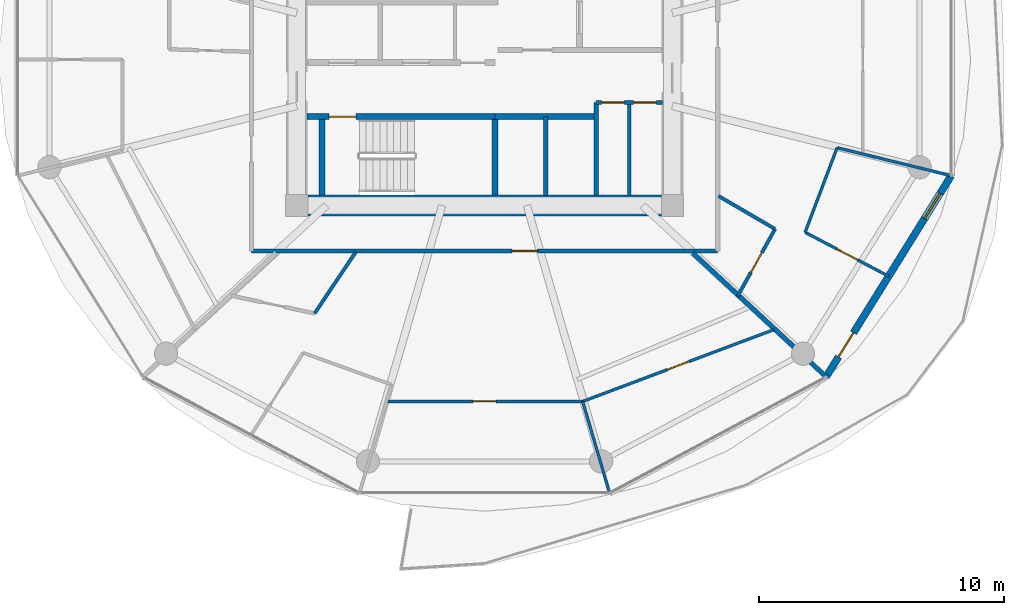
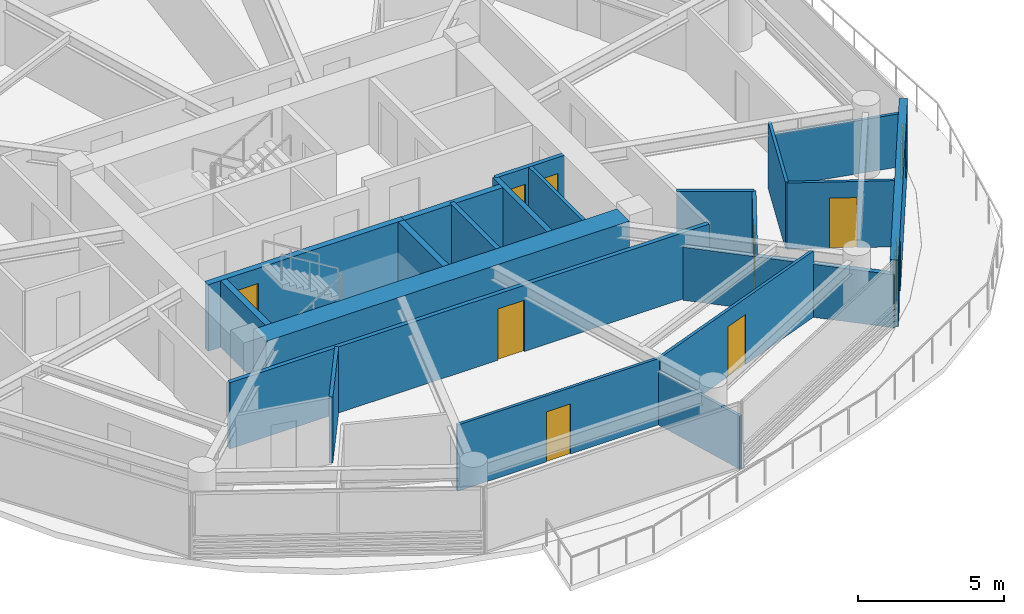
# One storey, part 19 of 27: 21 walls, 9 doors, 1 window, 10 openings.
"""IFC4 building model written with IfcOpenShell, lengths in metres."""

from ifc_helpers import new_model, si_unit, direction, frame, frame_2d, origin, place, context, subcontext, project, spatial, rectangle, extrude, source, transform, mapped, material, layer, layer_set, type_object, type_shapes, element, fill, save


model = new_model("IFC4")

# Units and contexts
model_context = context("Model", 3, precision=1e-05, world=origin(), true_north=direction((0.0, 1.0)))
body_context = subcontext(model_context, "Body", "Model", "MODEL_VIEW")
ifc_project = project(units=[si_unit("LENGTHUNIT", "METRE"), si_unit("AREAUNIT", "SQUARE_METRE"), si_unit("VOLUMEUNIT", "CUBIC_METRE"), si_unit("PLANEANGLEUNIT", "RADIAN"), si_unit("MASSUNIT", "GRAM", prefix="KILO")], contexts=[model_context])

# Site, building, storey
site_placement = place(None, origin())
site = spatial("IfcSite", under=ifc_project, at=site_placement, CompositionType="ELEMENT")
building_placement = place(site_placement, origin())
building = spatial("IfcBuilding", under=site, at=building_placement, Name="Norrkilde Senior Care Towers", CompositionType="ELEMENT")
storey_placement = place(building_placement, frame((0.0, 0.0, 33.800048828125)))
storey = spatial("IfcBuildingStorey", under=building, at=storey_placement, Name="L09", CompositionType="ELEMENT", Elevation=33.800048828125)

# Wall
ifc_material_1 = material(Name="Concrete C60/75", Category="concrete")
ifc_layer_1 = layer(ifc_material_1, 0.85009765625)
ifc_layer_set_1 = layer_set([ifc_layer_1], Name="Concrete C60/75")
wall_type_1 = type_object("IfcWallType", Name="Core Shear Wall Z1 850", PredefinedType="SHEAR", material=ifc_layer_set_1)
shared_shape_1 = source(origin(), body_context, "Body", "SweptSolid", [
    extrude(rectangle(XDim=14.39990234375, YDim=0.85009765625, at=frame_2d((7.199951171875, 0.0))), origin(), (0.0, 0.0, 1.0), 2.7900390625),
])
type_shapes(wall_type_1, [shared_shape_1])
wall_1_placement = place(storey_placement, frame((35.199951171875, -5.949951171875, 0.0), z_axis=(0.0, 0.0, 1.0), x_axis=(-1.0, 0.0, 0.0)))
element("IfcWall", 1, at=wall_1_placement, inside=storey, type_object=wall_type_1, Name="L09 Core E South Shear Wall", PredefinedType="SHEAR", context=body_context, shape_type="MappedRepresentation", body=[
    mapped(shared_shape_1, transform((0.0, 0.0, 0.0), x_axis=(1.0, 0.0, 0.0), y_axis=(0.0, 1.0, 0.0), z_axis=(0.0, 0.0, 1.0), scale=1.0)),
])

# Wall, openings, door, window
ifc_material_2 = material(Name="Precast concrete C45/55", Category="concrete")
ifc_layer_2 = layer(ifc_material_2, 0.2900390625)
ifc_layer_set_2 = layer_set([ifc_layer_2], Name="Precast concrete C45/55")
wall_type_2 = type_object("IfcWallType", Name="Winter Garden Facade Wall 290", PredefinedType="SOLIDWALL", material=ifc_layer_set_2)
shared_shape_2 = source(origin(), body_context, "Body", "SweptSolid", [
    extrude(rectangle(XDim=9.64892578125, YDim=0.2900390625, at=frame_2d((4.824462890625, 0.0))), origin(), (0.0, 0.0, 1.0), 2.7900390625),
])
type_shapes(wall_type_2, [shared_shape_2])
wall_2_placement = place(storey_placement, frame((47.009521484375, -4.731201171875, 0.0), z_axis=(0.0, 0.0, 1.0), x_axis=(-0.527909458386, -0.849300655684, 0.0)))
wall_2 = element("IfcWall", 2, at=wall_2_placement, inside=storey, type_object=wall_type_2, Name="L09 Drum E Balcony Access Wall 10", PredefinedType="SOLIDWALL", context=body_context, shape_type="MappedRepresentation", body=[
    mapped(shared_shape_2, transform((0.0, 0.0, 0.0), x_axis=(1.0, 0.0, 0.0), y_axis=(0.0, 1.0, 0.0), z_axis=(0.0, 0.0, 1.0), scale=1.0)),
])
opening_1_placement = place(wall_2_placement, frame((7.5400390625, 0.0, 0.0)))
opening_1 = element("IfcOpeningElement", 3, at=opening_1_placement, cuts=wall_2, Name="Opening D-09", PredefinedType="OPENING", context=body_context, shape_type="SweptSolid", body=[
    extrude(rectangle(XDim=1.14990234375, YDim=2.25, at=frame_2d((0.574951171875, 1.125))), frame((0.0, 0.155029296875, 0.0), z_axis=(0.0, -1.0, 0.0), x_axis=(1.0, 0.0, 0.0)), (0.0, 0.0, 1.0), 0.31005859375),
])
opening_2_placement = place(wall_2_placement, frame((0.85009765625, 0.0, 0.85009765625)))
opening_2 = element("IfcOpeningElement", 4, at=opening_2_placement, cuts=wall_2, Name="Opening WN-07", PredefinedType="OPENING", context=body_context, shape_type="SweptSolid", body=[
    extrude(rectangle(XDim=1.199951171875, YDim=1.5, at=frame_2d((0.60009765625, 0.75))), frame((0.0, 0.155029296875, 0.0), z_axis=(0.0, -1.0, 0.0), x_axis=(1.0, 0.0, 0.0)), (0.0, 0.0, 1.0), 0.31005859375),
])
ifc_material_3 = material(Name="Anodised Aluminium", Category="aluminium")
door_type_1 = type_object("IfcDoorType", Name="Terrace and Balcony Glazed Door 1150x2250", OperationType="NOTDEFINED", PredefinedType="DOOR", material=ifc_material_3)
shared_shape_3 = source(origin(), body_context, "Body", "SweptSolid", [
    extrude(rectangle(XDim=1.14990234375, YDim=2.25, at=frame_2d((0.574951171875, 1.125))), frame((0.0, 0.02490234375, 0.0), z_axis=(0.0, -1.0, 0.0), x_axis=(1.0, 0.0, 0.0)), (0.0, 0.0, 1.0), 0.050048828125),
])
type_shapes(door_type_1, [shared_shape_3])
door_1_placement = place(opening_1_placement, origin())
door_1 = element("IfcDoor", 5, at=door_1_placement, inside=storey, type_object=door_type_1, Name="L09 Drum E Outdoor Terrace Door 10", OperationType="SINGLE_SWING_LEFT", OverallHeight=2.25, OverallWidth=1.14990234375, PredefinedType="DOOR", context=body_context, shape_type="MappedRepresentation", body=[
    mapped(shared_shape_3, transform((0.0, 0.0, 0.0), x_axis=(1.0, 0.0, 0.0), y_axis=(0.0, 1.0, 0.0), z_axis=(0.0, 0.0, 1.0), scale=1.0)),
])
fill(opening_1, door_1)
ifc_material_4 = material(Name="Triple Low-E Insulated Glazing", Category="glass")
window_type = type_object("IfcWindowType", Name="Stairwell Smoke Vent Window 1200x1500", PartitioningType="SINGLE_PANEL", PredefinedType="WINDOW", material=ifc_material_4)
shared_shape_4 = source(origin(), body_context, "Body", "SweptSolid", [
    extrude(rectangle(XDim=1.199951171875, YDim=1.5, at=frame_2d((0.60009765625, 0.75))), frame((0.0, 0.030029296875, 0.0), z_axis=(0.0, -1.0, 0.0), x_axis=(1.0, 0.0, 0.0)), (0.0, 0.0, 1.0), 0.06005859375),
])
type_shapes(window_type, [shared_shape_4])
window_placement = place(opening_2_placement, origin())
window = element("IfcWindow", 6, at=window_placement, inside=storey, type_object=window_type, Name="L09 Drum E Winter Garden Window 10", OverallHeight=1.5, OverallWidth=1.199951171875, PartitioningType="SINGLE_PANEL", PredefinedType="WINDOW", context=body_context, shape_type="MappedRepresentation", body=[
    mapped(shared_shape_4, transform((0.0, 0.0, 0.0), x_axis=(1.0, 0.0, 0.0), y_axis=(0.0, 1.0, 0.0), z_axis=(0.0, 0.0, 1.0), scale=1.0)),
])
fill(opening_2, window)

# Walls
ifc_material_5 = material(Name="Concrete C45/55", Category="concrete")
ifc_layer_3 = layer(ifc_material_5, 0.199951171875)
ifc_layer_set_3 = layer_set([ifc_layer_3], Name="Concrete C45/55")
wall_type_3 = type_object("IfcWallType", Name="Shaft Division and Plant Partition 200", PredefinedType="PARTITIONING", material=ifc_layer_set_3)
shared_shape_5 = source(origin(), body_context, "Body", "SweptSolid", [
    extrude(rectangle(XDim=3.800048828125, YDim=0.199951171875, at=frame_2d((1.89990234375, 0.0))), origin(), (0.0, 0.0, 1.0), 2.77490234375),
])
type_shapes(wall_type_3, [shared_shape_5])
wall_3_placement = place(storey_placement, frame((32.550048828125, -5.550048828125, 0.0), z_axis=(0.0, 0.0, 1.0), x_axis=(0.0, 1.0, 0.0)))
element("IfcWall", 7, at=wall_3_placement, inside=storey, type_object=wall_type_3, Name="WL-INT-L09-E-PKBE", PredefinedType="PARTITIONING", context=body_context, shape_type="MappedRepresentation", body=[
    mapped(shared_shape_5, transform((0.0, 0.0, 0.0), x_axis=(1.0, 0.0, 0.0), y_axis=(0.0, 1.0, 0.0), z_axis=(0.0, 0.0, 1.0), scale=1.0)),
])
ifc_layer_4 = layer(ifc_material_5, 0.239990234375)
ifc_layer_set_4 = layer_set([ifc_layer_4], Name="Concrete C45/55")
wall_type_4 = type_object("IfcWallType", Name="Lift and Plant Rated Enclosure Partition 240", PredefinedType="PARTITIONING", material=ifc_layer_set_4)
shared_shape_6 = source(origin(), body_context, "Body", "SweptSolid", [
    extrude(rectangle(XDim=4.130126953125, YDim=0.239990234375, at=frame_2d((2.06494140625, 0.0))), origin(), (0.0, 0.0, 1.0), 2.77490234375),
])
type_shapes(wall_type_4, [shared_shape_6])
wall_4_placement = place(storey_placement, frame((28.419921875, -2.330078125, 0.0), z_axis=(0.0, 0.0, 1.0), x_axis=(1.0, 0.0, 0.0)))
element("IfcWall", 8, at=wall_4_placement, inside=storey, type_object=wall_type_4, Name="WL-INT-L09-E-PKBN", PredefinedType="PARTITIONING", context=body_context, shape_type="MappedRepresentation", body=[
    mapped(shared_shape_6, transform((0.0, 0.0, 0.0), x_axis=(1.0, 0.0, 0.0), y_axis=(0.0, 1.0, 0.0), z_axis=(0.0, 0.0, 1.0), scale=1.0)),
])
ifc_layer_5 = layer(ifc_material_5, 0.179931640625)
ifc_layer_set_5 = layer_set([ifc_layer_5], Name="Concrete C45/55")
wall_type_5 = type_object("IfcWallType", Name="Hoistway Division Rated Partition 180", PredefinedType="PARTITIONING", material=ifc_layer_set_5)
shared_shape_7 = source(origin(), body_context, "Body", "SweptSolid", [
    extrude(rectangle(XDim=3.219970703125, YDim=0.179931640625, at=frame_2d((1.60986328125, 0.0))), origin(), (0.0, 0.0, 1.0), 2.77490234375),
])
type_shapes(wall_type_5, [shared_shape_7])
wall_5_placement = place(storey_placement, frame((30.5, -5.550048828125, 0.0), z_axis=(0.0, 0.0, 1.0), x_axis=(0.0, 1.0, 0.0)))
element("IfcWall", 9, at=wall_5_placement, inside=storey, type_object=wall_type_5, Name="WL-INT-L09-E-PL34", PredefinedType="PARTITIONING", context=body_context, shape_type="MappedRepresentation", body=[
    mapped(shared_shape_7, transform((0.0, 0.0, 0.0), x_axis=(1.0, 0.0, 0.0), y_axis=(0.0, 1.0, 0.0), z_axis=(0.0, 0.0, 1.0), scale=1.0)),
])

# Wall, openings, doors
ifc_material_6 = material(Name="Gypsum Acoustic Board")
ifc_layer_6 = layer(ifc_material_6, 0.1650390625)
ifc_layer_set_6 = layer_set([ifc_layer_6], Name="Gypsum Acoustic Board")
wall_type_6 = type_object("IfcWallType", Name="Corridor Rated Partition 165", PredefinedType="PARTITIONING", material=ifc_layer_set_6)
shared_shape_8 = source(origin(), body_context, "Body", "SweptSolid", [
    extrude(rectangle(XDim=2.699951171875, YDim=0.1650390625, at=frame_2d((1.35009765625, 0.0))), origin(), (0.0, 0.0, 1.0), 2.77490234375),
])
wall_6_placement = place(storey_placement, frame((32.550048828125, -1.75, 0.0), z_axis=(0.0, 0.0, 1.0), x_axis=(1.0, 0.0, 0.0)))
wall_6 = element("IfcWall", 10, at=wall_6_placement, inside=storey, type_object=wall_type_6, Name="WL-INT-L09-E-CSN", PredefinedType="PARTITIONING", context=body_context, shape_type="MappedRepresentation", body=[
    mapped(shared_shape_8, transform((0.0, 0.0, 0.0), x_axis=(1.0, 0.0, 0.0), y_axis=(0.0, 1.0, 0.0), z_axis=(0.0, 0.0, 1.0), scale=1.0)),
])
opening_3_placement = place(wall_6_placement, frame((0.222412109375, 0.0, 0.0)))
opening_3 = element("IfcOpeningElement", 11, at=opening_3_placement, cuts=wall_6, Name="Opening D-12", PredefinedType="OPENING", context=body_context, shape_type="SweptSolid", body=[
    extrude(rectangle(XDim=0.925048828125, YDim=2.10009765625, at=frame_2d((0.46240234375, 1.050048828125))), frame((0.0, 0.092529296875, 0.0), z_axis=(0.0, -1.0, 0.0), x_axis=(1.0, 0.0, 0.0)), (0.0, 0.0, 1.0), 0.18505859375),
])
opening_4_placement = place(wall_6_placement, frame((1.5224609375, 0.0, 0.0)))
opening_4 = element("IfcOpeningElement", 12, at=opening_4_placement, cuts=wall_6, Name="Opening D-12", PredefinedType="OPENING", context=body_context, shape_type="SweptSolid", body=[
    extrude(rectangle(XDim=0.925048828125, YDim=2.10009765625, at=frame_2d((0.46240234375, 1.050048828125))), frame((0.0, 0.092529296875, 0.0), z_axis=(0.0, -1.0, 0.0), x_axis=(1.0, 0.0, 0.0)), (0.0, 0.0, 1.0), 0.18505859375),
])
ifc_material_7 = material(Name="Galvanised Painted Steel", Category="steel")
door_type_2 = type_object("IfcDoorType", Name="Core Wet Room Rated Door 925x2100", OperationType="NOTDEFINED", PredefinedType="DOOR", material=ifc_material_7)
shared_shape_9 = source(origin(), body_context, "Body", "SweptSolid", [
    extrude(rectangle(XDim=0.925048828125, YDim=2.10009765625, at=frame_2d((0.46240234375, 1.050048828125))), frame((0.0, 0.02490234375, 0.0), z_axis=(0.0, -1.0, 0.0), x_axis=(1.0, 0.0, 0.0)), (0.0, 0.0, 1.0), 0.050048828125),
])
type_shapes(door_type_2, [shared_shape_9])
door_2_placement = place(opening_3_placement, origin())
door_2 = element("IfcDoor", 13, at=door_2_placement, inside=storey, type_object=door_type_2, Name="L09 Staff Accessible WC E Door", OperationType="SINGLE_SWING_LEFT", OverallHeight=2.10009765625, OverallWidth=0.925048828125, PredefinedType="DOOR", context=body_context, shape_type="MappedRepresentation", body=[
    mapped(shared_shape_9, transform((0.0, 0.0, 0.0), x_axis=(1.0, 0.0, 0.0), y_axis=(0.0, 1.0, 0.0), z_axis=(0.0, 0.0, 1.0), scale=1.0)),
])
fill(opening_3, door_2)
door_3_placement = place(opening_4_placement, origin())
door_3 = element("IfcDoor", 14, at=door_3_placement, inside=storey, type_object=door_type_2, Name="L09 Housekeeping Store E Door", OperationType="SINGLE_SWING_RIGHT", OverallHeight=2.10009765625, OverallWidth=0.925048828125, PredefinedType="DOOR", context=body_context, shape_type="MappedRepresentation", body=[
    mapped(shared_shape_9, transform((0.0, 0.0, 0.0), x_axis=(1.0, 0.0, 0.0), y_axis=(0.0, 1.0, 0.0), z_axis=(0.0, 0.0, 1.0), scale=1.0)),
])
fill(opening_4, door_3)

# Wall, opening, door
shared_shape_10 = source(origin(), body_context, "Body", "SweptSolid", [
    extrude(rectangle(XDim=19.0, YDim=0.1650390625, at=frame_2d((9.5, 0.0))), origin(), (0.0, 0.0, 1.0), 2.77490234375),
])
type_shapes(wall_type_6, [shared_shape_8, shared_shape_10])
wall_7_placement = place(storey_placement, frame((37.5, -7.800048828125, 0.0), z_axis=(0.0, 0.0, 1.0), x_axis=(-1.0, 0.0, 0.0)))
wall_7 = element("IfcWall", 15, at=wall_7_placement, inside=storey, type_object=wall_type_6, Name="WL-INT-L09-E-CRW-S-0", PredefinedType="PARTITIONING", context=body_context, shape_type="MappedRepresentation", body=[
    mapped(shared_shape_10, transform((0.0, 0.0, 0.0), x_axis=(1.0, 0.0, 0.0), y_axis=(0.0, 1.0, 0.0), z_axis=(0.0, 0.0, 1.0), scale=1.0)),
])
opening_5_placement = place(wall_7_placement, frame((7.33642578125, 0.0, 0.0)))
opening_5 = element("IfcOpeningElement", 16, at=opening_5_placement, cuts=wall_7, Name="Opening D-06", PredefinedType="OPENING", context=body_context, shape_type="SweptSolid", body=[
    extrude(rectangle(XDim=1.050048828125, YDim=2.14990234375, at=frame_2d((0.52490234375, 1.074951171875))), frame((0.0, 0.092529296875, 0.0), z_axis=(0.0, -1.0, 0.0), x_axis=(1.0, 0.0, 0.0)), (0.0, 0.0, 1.0), 0.18505859375),
])
ifc_material_8 = material(Name="Nordic Ash Timber", Category="wood")
door_type_3 = type_object("IfcDoorType", Name="Apartment Entrance Fire Door 1050x2150", OperationType="NOTDEFINED", PredefinedType="DOOR", material=ifc_material_8)
shared_shape_11 = source(origin(), body_context, "Body", "SweptSolid", [
    extrude(rectangle(XDim=1.050048828125, YDim=2.14990234375, at=frame_2d((0.52490234375, 1.074951171875))), frame((0.0, 0.02490234375, 0.0), z_axis=(0.0, -1.0, 0.0), x_axis=(1.0, 0.0, 0.0)), (0.0, 0.0, 1.0), 0.050048828125),
])
type_shapes(door_type_3, [shared_shape_11])
door_4_placement = place(opening_5_placement, frame((1.050048828125, 0.0, 0.0), z_axis=(0.0, 0.0, 1.0), x_axis=(-1.0, 0.0, 0.0)))
door_4 = element("IfcDoor", 17, at=door_4_placement, inside=storey, type_object=door_type_3, Name="Apartment 09E Entrance Door", OperationType="SINGLE_SWING_RIGHT", OverallHeight=2.14990234375, OverallWidth=1.050048828125, PredefinedType="DOOR", context=body_context, shape_type="MappedRepresentation", body=[
    mapped(shared_shape_11, transform((0.0, 0.0, 0.0), x_axis=(1.0, 0.0, 0.0), y_axis=(0.0, 1.0, 0.0), z_axis=(0.0, 0.0, 1.0), scale=1.0)),
])
fill(opening_5, door_4)

# Wall
ifc_layer_7 = layer(ifc_material_6, 0.18994140625)
ifc_layer_set_7 = layer_set([ifc_layer_7], Name="Gypsum Acoustic Board")
wall_type_7 = type_object("IfcWallType", Name="Unit Demising Acoustic Wall 190", PredefinedType="PARTITIONING", material=ifc_layer_set_7)
shared_shape_12 = source(origin(), body_context, "Body", "SweptSolid", [
    extrude(rectangle(XDim=7.4345703125, YDim=0.18994140625, at=frame_2d((3.71728515625, 0.0))), origin(), (0.0, 0.0, 1.0), 2.224853515625),
])
type_shapes(wall_type_7, [shared_shape_12])
wall_8_placement = place(storey_placement, frame((36.48291015625, -7.8798828125, 0.0), z_axis=(0.0, 0.0, 1.0), x_axis=(0.732651956848, -0.680603489652, 0.0)))
element("IfcWall", 18, at=wall_8_placement, inside=storey, type_object=wall_type_7, Name="WL-INT-L09-E-DEM-10-0", PredefinedType="PARTITIONING", context=body_context, shape_type="MappedRepresentation", body=[
    mapped(shared_shape_12, transform((0.0, 0.0, 0.0), x_axis=(1.0, 0.0, 0.0), y_axis=(0.0, 1.0, 0.0), z_axis=(0.0, 0.0, 1.0), scale=1.0)),
])

# Wall, opening, door
ifc_layer_8 = layer(ifc_material_6, 0.114990234375)
ifc_layer_set_8 = layer_set([ifc_layer_8], Name="Gypsum Acoustic Board")
wall_type_8 = type_object("IfcWallType", Name="Internal Room Partition 115", PredefinedType="PARTITIONING", material=ifc_layer_set_8)
shared_shape_13 = source(origin(), body_context, "Body", "SweptSolid", [
    extrude(rectangle(XDim=7.99267578125, YDim=0.114990234375, at=frame_2d((3.996337890625, 0.0))), origin(), (0.0, 0.0, 1.0), 2.77490234375),
])
wall_9_placement = place(storey_placement, frame((24.003662109375, -13.927001953125, 0.0), z_axis=(0.0, 0.0, 1.0), x_axis=(1.0, 0.0, 0.0)))
wall_9 = element("IfcWall", 19, at=wall_9_placement, inside=storey, type_object=wall_type_8, Name="WL-INT-L09-E-UBC-07-1", PredefinedType="PARTITIONING", context=body_context, shape_type="MappedRepresentation", body=[
    mapped(shared_shape_13, transform((0.0, 0.0, 0.0), x_axis=(1.0, 0.0, 0.0), y_axis=(0.0, 1.0, 0.0), z_axis=(0.0, 0.0, 1.0), scale=1.0)),
])
opening_6_placement = place(wall_9_placement, frame((3.521484375, 0.0, 0.0)))
opening_6 = element("IfcOpeningElement", 20, at=opening_6_placement, cuts=wall_9, Name="Opening D-07", PredefinedType="OPENING", context=body_context, shape_type="SweptSolid", body=[
    extrude(rectangle(XDim=0.949951171875, YDim=2.10009765625, at=frame_2d((0.47509765625, 1.050048828125))), frame((0.0, 0.0673828125, 0.0), z_axis=(0.0, -1.0, 0.0), x_axis=(1.0, 0.0, 0.0)), (0.0, 0.0, 1.0), 0.135009765625),
])
door_type_4 = type_object("IfcDoorType", Name="Internal Suite Bedroom Door 950x2100", OperationType="NOTDEFINED", PredefinedType="DOOR", material=ifc_material_8)
shared_shape_14 = source(origin(), body_context, "Body", "SweptSolid", [
    extrude(rectangle(XDim=0.949951171875, YDim=2.10009765625, at=frame_2d((0.47509765625, 1.050048828125))), frame((0.0, 0.02490234375, 0.0), z_axis=(0.0, -1.0, 0.0), x_axis=(1.0, 0.0, 0.0)), (0.0, 0.0, 1.0), 0.050048828125),
])
type_shapes(door_type_4, [shared_shape_14])
door_5_placement = place(opening_6_placement, origin())
door_5 = element("IfcDoor", 21, at=door_5_placement, inside=storey, type_object=door_type_4, Name="Apartment 09E Bedroom 1 Door", OperationType="SINGLE_SWING_LEFT", OverallHeight=2.10009765625, OverallWidth=0.949951171875, PredefinedType="DOOR", context=body_context, shape_type="MappedRepresentation", body=[
    mapped(shared_shape_14, transform((0.0, 0.0, 0.0), x_axis=(1.0, 0.0, 0.0), y_axis=(0.0, 1.0, 0.0), z_axis=(0.0, 0.0, 1.0), scale=1.0)),
])
fill(opening_6, door_5)

# Wall
ifc_layer_9 = layer(ifc_material_6, 0.139892578125)
ifc_layer_set_9 = layer_set([ifc_layer_9], Name="Gypsum Acoustic Board")
wall_type_9 = type_object("IfcWallType", Name="En-suite Wet Room Wall 140", PredefinedType="PARTITIONING", material=ifc_layer_set_9)
shared_shape_15 = source(origin(), body_context, "Body", "SweptSolid", [
    extrude(rectangle(XDim=3.025146484375, YDim=0.139892578125, at=frame_2d((1.5126953125, 0.0))), origin(), (0.0, 0.0, 1.0), 2.77490234375),
])
wall_10_placement = place(storey_placement, frame((22.76025390625, -7.830078125, 0.0), z_axis=(0.0, 0.0, 1.0), x_axis=(-0.556189165904, -0.831055721195, 0.0)))
element("IfcWall", 22, at=wall_10_placement, inside=storey, type_object=wall_type_9, Name="WL-INT-L09-E-UBTS-07", PredefinedType="PARTITIONING", context=body_context, shape_type="MappedRepresentation", body=[
    mapped(shared_shape_15, transform((0.0, 0.0, 0.0), x_axis=(1.0, 0.0, 0.0), y_axis=(0.0, 1.0, 0.0), z_axis=(0.0, 0.0, 1.0), scale=1.0)),
])

# Wall, opening, door
shared_shape_16 = source(origin(), body_context, "Body", "SweptSolid", [
    extrude(rectangle(XDim=8.31982421875, YDim=0.114990234375, at=frame_2d((4.159912109375, 0.0))), origin(), (0.0, 0.0, 1.0), 2.77490234375),
])
wall_11_placement = place(storey_placement, frame((31.997314453125, -13.93017578125, 0.0), z_axis=(0.0, 0.0, 1.0), x_axis=(0.936180763098, 0.351518959382, 0.0)))
wall_11 = element("IfcWall", 23, at=wall_11_placement, inside=storey, type_object=wall_type_8, Name="WL-INT-L09-E-UBC-07-2", PredefinedType="PARTITIONING", context=body_context, shape_type="MappedRepresentation", body=[
    mapped(shared_shape_16, transform((0.0, 0.0, 0.0), x_axis=(1.0, 0.0, 0.0), y_axis=(0.0, 1.0, 0.0), z_axis=(0.0, 0.0, 1.0), scale=1.0)),
])
opening_7_placement = place(wall_11_placement, frame((3.684814453125, 0.0, 0.0)))
opening_7 = element("IfcOpeningElement", 24, at=opening_7_placement, cuts=wall_11, Name="Opening D-07", PredefinedType="OPENING", context=body_context, shape_type="SweptSolid", body=[
    extrude(rectangle(XDim=0.949951171875, YDim=2.10009765625, at=frame_2d((0.47509765625, 1.050048828125))), frame((0.0, 0.0673828125, 0.0), z_axis=(0.0, -1.0, 0.0), x_axis=(1.0, 0.0, 0.0)), (0.0, 0.0, 1.0), 0.135009765625),
])
door_6_placement = place(opening_7_placement, frame((0.949951171875, 0.0, 0.0), z_axis=(0.0, 0.0, 1.0), x_axis=(-1.0, 0.0, 0.0)))
door_6 = element("IfcDoor", 25, at=door_6_placement, inside=storey, type_object=door_type_4, Name="Apartment 09E Bedroom 2 Door", OperationType="SINGLE_SWING_RIGHT", OverallHeight=2.10009765625, OverallWidth=0.949951171875, PredefinedType="DOOR", context=body_context, shape_type="MappedRepresentation", body=[
    mapped(shared_shape_14, transform((0.0, 0.0, 0.0), x_axis=(1.0, 0.0, 0.0), y_axis=(0.0, 1.0, 0.0), z_axis=(0.0, 0.0, 1.0), scale=1.0)),
])
fill(opening_7, door_6)

ifc_layer_10 = layer(ifc_material_5, 0.239990234375)
ifc_layer_set_10 = layer_set([ifc_layer_10], Name="Concrete C45/55")
wall_type_10 = type_object("IfcWallType", Name="Shaft and Stair Enclosure Wall 240", PredefinedType="PARTITIONING", material=ifc_layer_set_10)
shared_shape_17 = source(origin(), body_context, "Body", "SweptSolid", [
    extrude(rectangle(XDim=7.76513671875, YDim=0.239990234375, at=frame_2d((3.882568359375, 0.0))), origin(), (0.0, 0.0, 1.0), 2.7900390625),
])
wall_12_placement = place(storey_placement, frame((20.77490234375, -2.330078125, 0.0), z_axis=(0.0, 0.0, 1.0), x_axis=(1.0, 0.0, 0.0)))
wall_12 = element("IfcWall", 26, at=wall_12_placement, inside=storey, type_object=wall_type_10, Name="WL-INT-L09-E-ST2N", PredefinedType="PARTITIONING", context=body_context, shape_type="MappedRepresentation", body=[
    mapped(shared_shape_17, transform((0.0, 0.0, 0.0), x_axis=(1.0, 0.0, 0.0), y_axis=(0.0, 1.0, 0.0), z_axis=(0.0, 0.0, 1.0), scale=1.0)),
])
opening_8_placement = place(wall_12_placement, frame((0.885009765625, 0.0, 0.0)))
opening_8 = element("IfcOpeningElement", 27, at=opening_8_placement, cuts=wall_12, Name="Opening D-03", PredefinedType="OPENING", context=body_context, shape_type="SweptSolid", body=[
    extrude(rectangle(XDim=1.10009765625, YDim=2.14990234375, at=frame_2d((0.550048828125, 1.074951171875))), frame((0.0, 0.1298828125, 0.0), z_axis=(0.0, -1.0, 0.0), x_axis=(1.0, 0.0, 0.0)), (0.0, 0.0, 1.0), 0.260009765625),
])
door_type_5 = type_object("IfcDoorType", Name="Stairwell Protected Fire Door 1100x2150", OperationType="NOTDEFINED", PredefinedType="DOOR", material=ifc_material_7)
shared_shape_18 = source(origin(), body_context, "Body", "SweptSolid", [
    extrude(rectangle(XDim=1.10009765625, YDim=2.14990234375, at=frame_2d((0.550048828125, 1.074951171875))), frame((0.0, 0.02490234375, 0.0), z_axis=(0.0, -1.0, 0.0), x_axis=(1.0, 0.0, 0.0)), (0.0, 0.0, 1.0), 0.050048828125),
])
type_shapes(door_type_5, [shared_shape_18])
door_7_placement = place(opening_8_placement, frame((1.10009765625, 0.0, 0.0), z_axis=(0.0, 0.0, 1.0), x_axis=(-1.0, 0.0, 0.0)))
door_7 = element("IfcDoor", 28, at=door_7_placement, inside=storey, type_object=door_type_5, Name="L09 Stair E2 Fire Door", OperationType="SINGLE_SWING_RIGHT", OverallHeight=2.14990234375, OverallWidth=1.10009765625, PredefinedType="DOOR", context=body_context, shape_type="MappedRepresentation", body=[
    mapped(shared_shape_18, transform((0.0, 0.0, 0.0), x_axis=(1.0, 0.0, 0.0), y_axis=(0.0, 1.0, 0.0), z_axis=(0.0, 0.0, 1.0), scale=1.0)),
])
fill(opening_8, door_7)

# Walls
shared_shape_19 = source(origin(), body_context, "Body", "SweptSolid", [
    extrude(rectangle(XDim=3.074951171875, YDim=0.239990234375, at=frame_2d((1.53759765625, 0.0))), origin(), (0.0, 0.0, 1.0), 2.7900390625),
])
type_shapes(wall_type_10, [shared_shape_17, shared_shape_19])
for number, where, z_axis, x_axis, name in (
    (29, (21.3798828125, -5.52490234375, 0.0), (0.0, 0.0, 1.0), (0.0, 1.0, 0.0), "WL-INT-L09-E-ST2W"),
    (30, (28.419921875, -5.52490234375, 0.0), (0.0, 0.0, 1.0), (0.0, 1.0, 0.0), "WL-INT-L09-E-ST2E"),
):
    element("IfcWall", number, at=place(storey_placement, frame(where, z_axis=z_axis, x_axis=x_axis)), inside=storey, type_object=wall_type_10, Name=name, PredefinedType="PARTITIONING", context=body_context, shape_type="MappedRepresentation", body=[
        mapped(shared_shape_19, transform((0.0, 0.0, 0.0), x_axis=(1.0, 0.0, 0.0), y_axis=(0.0, 1.0, 0.0), z_axis=(0.0, 0.0, 1.0), scale=1.0)),
    ])
shared_shape_20 = source(origin(), body_context, "Body", "SweptSolid", [
    extrude(rectangle(XDim=3.800048828125, YDim=0.139892578125, at=frame_2d((1.89990234375, 0.0))), origin(), (0.0, 0.0, 1.0), 2.77490234375),
])
wall_13_placement = place(storey_placement, frame((33.89990234375, -5.550048828125, 0.0), z_axis=(0.0, 0.0, 1.0), x_axis=(0.0, 1.0, 0.0)))
element("IfcWall", 31, at=wall_13_placement, inside=storey, type_object=wall_type_9, Name="WL-INT-L09-E-CS1V", PredefinedType="PARTITIONING", context=body_context, shape_type="MappedRepresentation", body=[
    mapped(shared_shape_20, transform((0.0, 0.0, 0.0), x_axis=(1.0, 0.0, 0.0), y_axis=(0.0, 1.0, 0.0), z_axis=(0.0, 0.0, 1.0), scale=1.0)),
])
shared_shape_21 = source(origin(), body_context, "Body", "SweptSolid", [
    extrude(rectangle(XDim=2.66943359375, YDim=0.139892578125, at=frame_2d((1.334716796875, 0.0))), origin(), (0.0, 0.0, 1.0), 2.77490234375),
])
wall_14_placement = place(storey_placement, frame((37.530029296875, -5.560546875, 0.0), z_axis=(0.0, 0.0, 1.0), x_axis=(0.86369928178, -0.50400749067, 0.0)))
element("IfcWall", 32, at=wall_14_placement, inside=storey, type_object=wall_type_9, Name="WL-INT-L09-E-UBTS-10", PredefinedType="PARTITIONING", context=body_context, shape_type="MappedRepresentation", body=[
    mapped(shared_shape_21, transform((0.0, 0.0, 0.0), x_axis=(1.0, 0.0, 0.0), y_axis=(0.0, 1.0, 0.0), z_axis=(0.0, 0.0, 1.0), scale=1.0)),
])

# Wall, opening, door
shared_shape_22 = source(origin(), body_context, "Body", "SweptSolid", [
    extrude(rectangle(XDim=3.121337890625, YDim=0.139892578125, at=frame_2d((1.560546875, 0.0))), origin(), (0.0, 0.0, 1.0), 2.77490234375),
])
type_shapes(wall_type_9, [shared_shape_15, shared_shape_20, shared_shape_21, shared_shape_22])
wall_15_placement = place(storey_placement, frame((39.835693359375, -6.906005859375, 0.0), z_axis=(0.0, 0.0, 1.0), x_axis=(-0.487302357327, -0.873233309342, 0.0)))
wall_15 = element("IfcWall", 33, at=wall_15_placement, inside=storey, type_object=wall_type_9, Name="WL-INT-L09-E-UBTF-10", PredefinedType="PARTITIONING", context=body_context, shape_type="MappedRepresentation", body=[
    mapped(shared_shape_22, transform((0.0, 0.0, 0.0), x_axis=(1.0, 0.0, 0.0), y_axis=(0.0, 1.0, 0.0), z_axis=(0.0, 0.0, 1.0), scale=1.0)),
])
opening_9_placement = place(wall_15_placement, frame((1.1005859375, 0.0, 0.0)))
opening_9 = element("IfcOpeningElement", 34, at=opening_9_placement, cuts=wall_15, Name="Opening D-08", PredefinedType="OPENING", context=body_context, shape_type="SweptSolid", body=[
    extrude(rectangle(XDim=0.919921875, YDim=2.10009765625, at=frame_2d((0.4599609375, 1.050048828125))), frame((0.0, 0.079833984375, 0.0), z_axis=(0.0, -1.0, 0.0), x_axis=(1.0, 0.0, 0.0)), (0.0, 0.0, 1.0), 0.159912109375),
])
door_type_6 = type_object("IfcDoorType", Name="Accessible Wet Room Door 920x2100", OperationType="NOTDEFINED", PredefinedType="DOOR", material=ifc_material_8)
shared_shape_23 = source(origin(), body_context, "Body", "SweptSolid", [
    extrude(rectangle(XDim=0.919921875, YDim=2.10009765625, at=frame_2d((0.4599609375, 1.050048828125))), frame((0.0, 0.02490234375, 0.0), z_axis=(0.0, -1.0, 0.0), x_axis=(1.0, 0.0, 0.0)), (0.0, 0.0, 1.0), 0.050048828125),
])
type_shapes(door_type_6, [shared_shape_23])
door_8_placement = place(opening_9_placement, origin())
door_8 = element("IfcDoor", 35, at=door_8_placement, inside=storey, type_object=door_type_6, Name="Apartment 09F Bathroom Door", OperationType="SINGLE_SWING_RIGHT", OverallHeight=2.10009765625, OverallWidth=0.919921875, PredefinedType="DOOR", context=body_context, shape_type="MappedRepresentation", body=[
    mapped(shared_shape_23, transform((0.0, 0.0, 0.0), x_axis=(1.0, 0.0, 0.0), y_axis=(0.0, 1.0, 0.0), z_axis=(0.0, 0.0, 1.0), scale=1.0)),
])
fill(opening_9, door_8)

shared_shape_24 = source(origin(), body_context, "Body", "SweptSolid", [
    extrude(rectangle(XDim=3.863525390625, YDim=0.114990234375, at=frame_2d((1.931640625, 0.0))), origin(), (0.0, 0.0, 1.0), 2.77490234375),
])
wall_16_placement = place(storey_placement, frame((41.0595703125, -7.040771484375, 0.0), z_axis=(0.0, 0.0, 1.0), x_axis=(0.885194959803, -0.465220252289, 0.0)))
wall_16 = element("IfcWall", 36, at=wall_16_placement, inside=storey, type_object=wall_type_8, Name="WL-INT-L09-E-UKTS-10", PredefinedType="PARTITIONING", context=body_context, shape_type="MappedRepresentation", body=[
    mapped(shared_shape_24, transform((0.0, 0.0, 0.0), x_axis=(1.0, 0.0, 0.0), y_axis=(0.0, 1.0, 0.0), z_axis=(0.0, 0.0, 1.0), scale=1.0)),
])
opening_10_placement = place(wall_16_placement, frame((1.456787109375, 0.0, 0.0)))
opening_10 = element("IfcOpeningElement", 37, at=opening_10_placement, cuts=wall_16, Name="Opening D-07", PredefinedType="OPENING", context=body_context, shape_type="SweptSolid", body=[
    extrude(rectangle(XDim=0.949951171875, YDim=2.10009765625, at=frame_2d((0.47509765625, 1.050048828125))), frame((0.0, 0.0673828125, 0.0), z_axis=(0.0, -1.0, 0.0), x_axis=(1.0, 0.0, 0.0)), (0.0, 0.0, 1.0), 0.135009765625),
])
door_9_placement = place(opening_10_placement, frame((0.949951171875, 0.0, 0.0), z_axis=(0.0, 0.0, 1.0), x_axis=(-1.0, 0.0, 0.0)))
door_9 = element("IfcDoor", 38, at=door_9_placement, inside=storey, type_object=door_type_4, Name="Apartment 09F Kitchen Door", OperationType="SINGLE_SWING_LEFT", OverallHeight=2.10009765625, OverallWidth=0.949951171875, PredefinedType="DOOR", context=body_context, shape_type="MappedRepresentation", body=[
    mapped(shared_shape_14, transform((0.0, 0.0, 0.0), x_axis=(1.0, 0.0, 0.0), y_axis=(0.0, 1.0, 0.0), z_axis=(0.0, 0.0, 1.0), scale=1.0)),
])
fill(opening_10, door_9)

# Walls
shared_shape_25 = source(origin(), body_context, "Body", "SweptSolid", [
    extrude(rectangle(XDim=3.685302734375, YDim=0.114990234375, at=frame_2d((1.8427734375, 0.0))), origin(), (0.0, 0.0, 1.0), 2.77490234375),
])
wall_17_placement = place(storey_placement, frame((41.0595703125, -7.040771484375, 0.0), z_axis=(0.0, 0.0, 1.0), x_axis=(0.353503632997, 0.935433151785, 0.0)))
element("IfcWall", 39, at=wall_17_placement, inside=storey, type_object=wall_type_8, Name="WL-INT-L09-E-UKTF-10", PredefinedType="PARTITIONING", context=body_context, shape_type="MappedRepresentation", body=[
    mapped(shared_shape_25, transform((0.0, 0.0, 0.0), x_axis=(1.0, 0.0, 0.0), y_axis=(0.0, 1.0, 0.0), z_axis=(0.0, 0.0, 1.0), scale=1.0)),
])
shared_shape_26 = source(origin(), body_context, "Body", "SweptSolid", [
    extrude(rectangle(XDim=3.90478515625, YDim=0.114990234375, at=frame_2d((1.952392578125, 0.0))), origin(), (0.0, 0.0, 1.0), 2.224853515625),
])
wall_18_placement = place(storey_placement, frame((31.997314453125, -13.93017578125, 0.0), z_axis=(0.0, 0.0, 1.0), x_axis=(0.282037692958, -0.959403324859, 0.0)))
element("IfcWall", 40, at=wall_18_placement, inside=storey, type_object=wall_type_8, Name="WL-INT-L09-E-UBR-07-2", PredefinedType="PARTITIONING", context=body_context, shape_type="MappedRepresentation", body=[
    mapped(shared_shape_26, transform((0.0, 0.0, 0.0), x_axis=(1.0, 0.0, 0.0), y_axis=(0.0, 1.0, 0.0), z_axis=(0.0, 0.0, 1.0), scale=1.0)),
])
shared_shape_27 = source(origin(), body_context, "Body", "SweptSolid", [
    extrude(rectangle(XDim=4.802978515625, YDim=0.114990234375, at=frame_2d((2.4013671875, 0.0))), origin(), (0.0, 0.0, 1.0), 2.224853515625),
])
type_shapes(wall_type_8, [shared_shape_13, shared_shape_16, shared_shape_24, shared_shape_25, shared_shape_26, shared_shape_27])
wall_19_placement = place(storey_placement, frame((42.36376953125, -3.59375, 0.0), z_axis=(0.0, 0.0, 1.0), x_axis=(0.97129155908, -0.237892217736, 0.0)))
element("IfcWall", 41, at=wall_19_placement, inside=storey, type_object=wall_type_8, Name="WL-INT-L09-E-UBR-10-1", PredefinedType="PARTITIONING", context=body_context, shape_type="MappedRepresentation", body=[
    mapped(shared_shape_27, transform((0.0, 0.0, 0.0), x_axis=(1.0, 0.0, 0.0), y_axis=(0.0, 1.0, 0.0), z_axis=(0.0, 0.0, 1.0), scale=1.0)),
])

save(model, "model.ifc")
